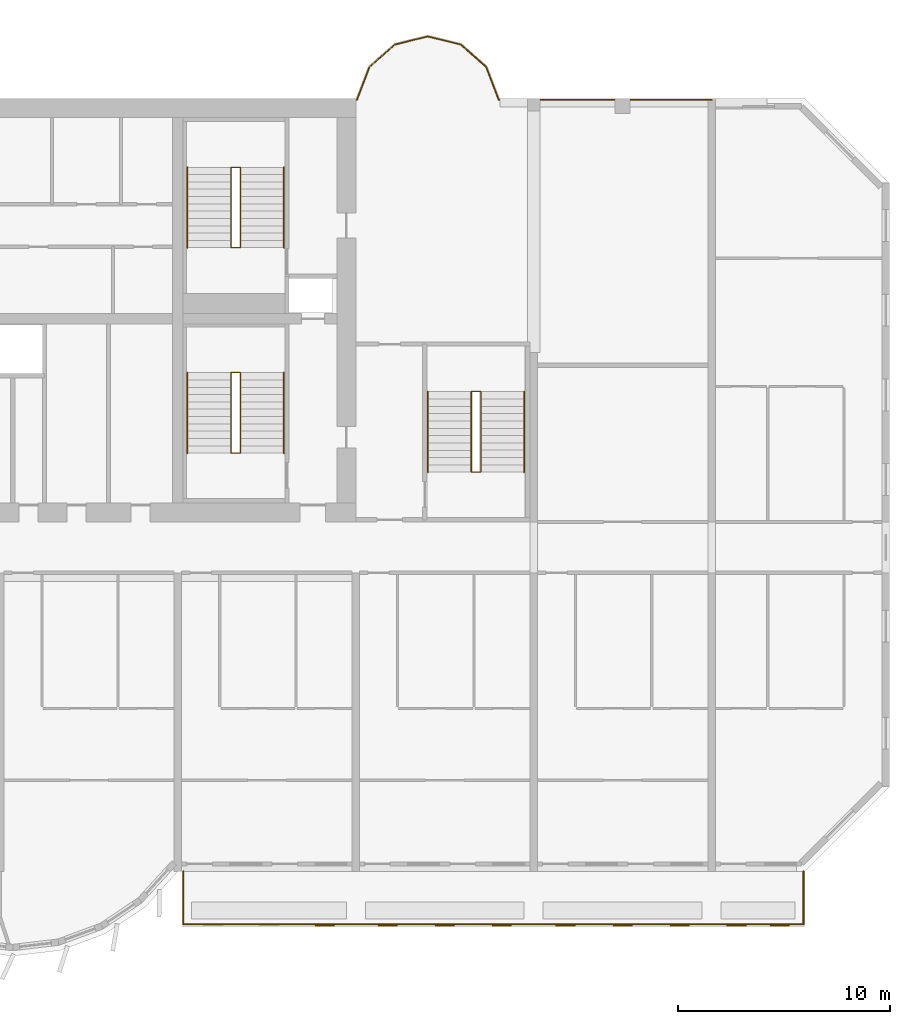
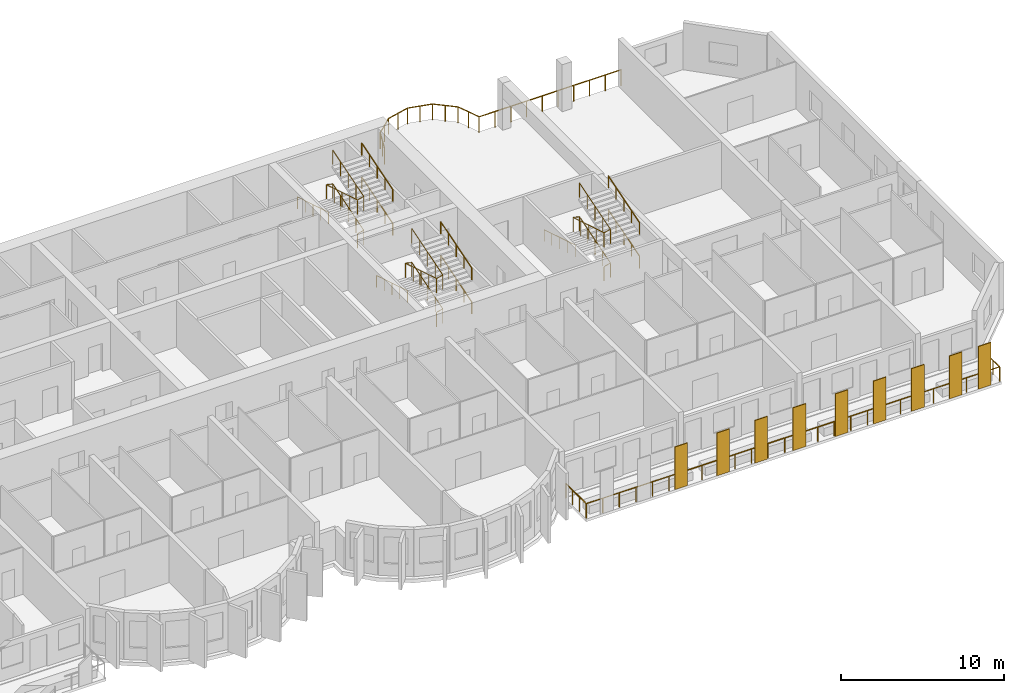
# One storey, part 14 of 15: 14 railings, 9 coverings.
"""IFC4 building model written with IfcOpenShell, lengths in metres."""

import ifcopenshell
import ifcopenshell.guid

model = None  # the IFC model being written
_history = None  # IfcOwnerHistory: only IFC2X3 demands one
_inside = {}  # id of a spatial element -> (the spatial element, [elements in it])
_under = {}  # id of a project, library or spatial element -> (it, [spatial elements below it])
_declared = {}  # id of a project -> (the project, [libraries it declares])
_typed = {}  # id of a type object -> (the type object, [elements of that type])
_made_of = {}  # id of a material, layer set ... -> (it, [elements and type objects made of it])


def new_model(schema):
    """Start an empty IFC model of exactly this schema.

    Asked for "IFC4X3", IfcOpenShell would pick the latest addendum, in which some entities
    have other attributes; the version numbers below select the first issue.
    IFC2X3 requires an IfcOwnerHistory on every rooted entity: one is made here for all.
    """
    global model, _history
    if schema == "IFC4X3":
        model = ifcopenshell.file(schema_version=(4, 3, 0, 0))
    else:
        model = ifcopenshell.file(schema=schema)
    _inside.clear()
    _under.clear()
    _declared.clear()
    _typed.clear()
    _made_of.clear()
    _history = None
    if model.schema == "IFC2X3":
        org = make("IfcOrganization", Name="unknown")
        user = make(
            "IfcPersonAndOrganization",
            ThePerson=make("IfcPerson", FamilyName="unknown"),
            TheOrganization=org,
        )
        app = make(
            "IfcApplication",
            ApplicationDeveloper=org,
            Version="unknown",
            ApplicationFullName="unknown",
            ApplicationIdentifier="unknown",
        )
        _history = make(
            "IfcOwnerHistory",
            OwningUser=user,
            OwningApplication=app,
            ChangeAction="ADDED",
            CreationDate=0,
        )
    return model


def make(cls, **values):
    """One entity of the class cls with the attributes given. An attribute that is None is left unset."""
    return model.create_entity(
        cls, **{name: value for name, value in values.items() if value is not None}
    )


def rooted(cls, **values):
    """An entity with a GlobalId (a new one), such as an element, a storey or a relation."""
    return make(cls, GlobalId=ifcopenshell.guid.new(), OwnerHistory=_history, **values)


def si_unit(unit_type, name, prefix=None):
    """IfcSIUnit, for example si_unit("LENGTHUNIT", "METRE", prefix="MILLI")."""
    return make("IfcSIUnit", UnitType=unit_type, Prefix=prefix, Name=name)


def assignment(units):
    """IfcUnitAssignment: the units of a project."""
    return None if units is None else make("IfcUnitAssignment", Units=units)


def point(xyz):
    """IfcCartesianPoint."""
    return None if xyz is None else make("IfcCartesianPoint", Coordinates=xyz)


def direction(xyz):
    """IfcDirection."""
    return None if xyz is None else make("IfcDirection", DirectionRatios=xyz)


def frame(location, z_axis=None, x_axis=None):
    """IfcAxis2Placement3D, a coordinate frame: its origin and axes. An axis left out is left unset."""
    return make(
        "IfcAxis2Placement3D",
        Location=point(location),
        Axis=direction(z_axis),
        RefDirection=direction(x_axis),
    )


def frame_2d(location, x_axis=None):
    """IfcAxis2Placement2D, a coordinate frame in the plane: its origin and x axis."""
    return make(
        "IfcAxis2Placement2D", Location=point(location), RefDirection=direction(x_axis)
    )


def origin():
    """The frame at (0, 0, 0) with its axes left unset."""
    return frame((0.0, 0.0, 0.0))


def origin_2d():
    """The frame at (0, 0) in the plane with its x axis left unset."""
    return frame_2d((0.0, 0.0))


def place(relative_to, where):
    """IfcLocalPlacement: puts the frame where relative to a parent placement (None: the world)."""
    return make(
        "IfcLocalPlacement", PlacementRelTo=relative_to, RelativePlacement=where
    )


def context(
    kind, dimensions, precision=None, world=None, true_north=None, identifier=None
):
    """IfcGeometricRepresentationContext, for example the 3D "Model" context."""
    return make(
        "IfcGeometricRepresentationContext",
        ContextIdentifier=identifier,
        ContextType=kind,
        CoordinateSpaceDimension=dimensions,
        Precision=precision,
        WorldCoordinateSystem=world,
        TrueNorth=true_north,
    )


def subcontext(parent, identifier, kind, view, scale=None):
    """IfcGeometricRepresentationSubContext, for example "Body" below "Model"."""
    return make(
        "IfcGeometricRepresentationSubContext",
        ContextIdentifier=identifier,
        ContextType=kind,
        ParentContext=parent,
        TargetScale=scale,
        TargetView=view,
    )


def project(units=None, contexts=None):
    """IfcProject with its units and contexts."""
    return rooted(
        "IfcProject",
        Name="project",
        RepresentationContexts=contexts,
        UnitsInContext=assignment(units),
    )


def spatial(cls, under=None, at=None, **own):
    """A site, building, storey or space (cls), placed at a placement, below another one or the project."""
    s = rooted(cls, ObjectPlacement=at, **own)
    if under is not None:
        _under.setdefault(under.id(), (under, []))[1].append(s)
    return s


def profile(cls, at=None, kind="AREA", **sizes):
    """A parametric profile (cls). Its sizes go by their IFC names, for example OverallWidth=200.0."""
    return make(cls, ProfileType=kind, Position=at, **sizes)


def rectangle(**sizes):
    """IfcRectangleProfileDef."""
    return profile("IfcRectangleProfileDef", **sizes)


def circle(**sizes):
    """IfcCircleProfileDef."""
    return profile("IfcCircleProfileDef", **sizes)


def extrude(swept, where, along, depth):
    """IfcExtrudedAreaSolid: the profile swept, set in the frame where, extruded along a direction by depth."""
    return make(
        "IfcExtrudedAreaSolid",
        SweptArea=swept,
        Position=where,
        ExtrudedDirection=direction(along),
        Depth=depth,
    )


def shape(context_of_items, identifier, shape_type, items):
    """IfcShapeRepresentation: the items that make up one representation, for example the "Body"."""
    return make(
        "IfcShapeRepresentation",
        ContextOfItems=context_of_items,
        RepresentationIdentifier=identifier,
        RepresentationType=shape_type,
        Items=items,
    )


def source(mapping_origin, context_of_items, identifier, shape_type, items):
    """IfcRepresentationMap: a shape defined once, which mapped items show again and again."""
    return make(
        "IfcRepresentationMap",
        MappingOrigin=mapping_origin,
        MappedRepresentation=shape(context_of_items, identifier, shape_type, items),
    )


def transform(
    local_origin,
    x_axis=None,
    y_axis=None,
    z_axis=None,
    scale=None,
    scale2=None,
    scale3=None,
    uniform=True,
):
    """IfcCartesianTransformationOperator3D, or its non-uniform kind. x_axis, y_axis, z_axis: its Axis1, 2, 3."""
    if uniform:
        return make(
            "IfcCartesianTransformationOperator3D",
            Axis1=direction(x_axis),
            Axis2=direction(y_axis),
            LocalOrigin=point(local_origin),
            Scale=scale,
            Axis3=direction(z_axis),
        )
    return make(
        "IfcCartesianTransformationOperator3DnonUniform",
        Axis1=direction(x_axis),
        Axis2=direction(y_axis),
        LocalOrigin=point(local_origin),
        Scale=scale,
        Axis3=direction(z_axis),
        Scale2=scale2,
        Scale3=scale3,
    )


def mapped(mapping_source, mapping_target):
    """IfcMappedItem: shows the shape of a source again, moved by a transform."""
    return make(
        "IfcMappedItem", MappingSource=mapping_source, MappingTarget=mapping_target
    )


def material(Name=None, Category=None):
    """IfcMaterial."""
    return make("IfcMaterial", Name=Name, Category=Category)


def layer(
    of_material, thickness, ventilated=None, Name=None, Category=None, Priority=None
):
    """IfcMaterialLayer: one layer of a wall or slab, of a material (None: an air gap)."""
    return make(
        "IfcMaterialLayer",
        Material=of_material,
        LayerThickness=thickness,
        IsVentilated=ventilated,
        Name=Name,
        Category=Category,
        Priority=Priority,
    )


def layer_set(layers, Name=None):
    """IfcMaterialLayerSet."""
    return make("IfcMaterialLayerSet", MaterialLayers=layers, LayerSetName=Name)


def made_of(thing, what):
    """Note that an element or type object is made of a material, layer set ...; save() writes the relation."""
    if what is not None:
        _made_of.setdefault(what.id(), (what, []))[1].append(thing)
    return thing


def type_object(cls, material=None, **own):
    """A type object (cls), such as IfcWallType, which elements share."""
    return made_of(rooted(cls, **own), material)


def element(
    cls,
    number,
    at=None,
    inside=None,
    cuts=None,
    type_object=None,
    material=None,
    context=None,
    identifier="Body",
    shape_type=None,
    held_by="IfcProductDefinitionShape",
    body=None,
    shapes=None,
    **own,
):
    """One element of the class cls, such as IfcWall. Its Tag is "e" and its number.

    at: its placement. inside: the storey or other place that contains it. cuts: it is an
    opening in that element (IfcRelVoidsElement). A single representation is given by context,
    identifier, shape_type and body (its items); several are given by shapes. held_by: the class
    of the entity that holds the representations. save() writes the other relations.
    """
    e = rooted(cls, Tag="e%d" % number, ObjectPlacement=at, **own)
    if body is not None:
        shapes = [shape(context, identifier, shape_type, body)]
    if shapes is not None:
        e.Representation = make(held_by, Representations=shapes)
    if inside is not None:
        _inside.setdefault(inside.id(), (inside, []))[1].append(e)
    if cuts is not None:
        rooted(
            "IfcRelVoidsElement", RelatingBuildingElement=cuts, RelatedOpeningElement=e
        )
    if type_object is not None:
        _typed.setdefault(type_object.id(), (type_object, []))[1].append(e)
    return made_of(e, material)


def aggregate(whole, parts):
    """IfcRelAggregates: a whole, such as a stair, and the parts it consists of."""
    return rooted("IfcRelAggregates", RelatingObject=whole, RelatedObjects=parts)


def save(model, path):
    """Write the relations noted so far, then the file.

    IfcRelAggregates (storeys below a building ...), IfcRelContainedInSpatialStructure (elements
    in a storey), IfcRelDefinesByType, IfcRelAssociatesMaterial and IfcRelDeclares: one each for
    every whole, place, type object, material and project.
    """
    for whole, parts in _under.values():
        aggregate(whole, parts)
    for where, things in _inside.values():
        rooted(
            "IfcRelContainedInSpatialStructure",
            RelatedElements=things,
            RelatingStructure=where,
        )
    for kind, things in _typed.values():
        rooted("IfcRelDefinesByType", RelatedObjects=things, RelatingType=kind)
    for what, things in _made_of.values():
        rooted("IfcRelAssociatesMaterial", RelatedObjects=things, RelatingMaterial=what)
    for by, libraries in _declared.values():
        rooted("IfcRelDeclares", RelatingContext=by, RelatedDefinitions=libraries)
    model.write(path)


model = new_model("IFC4")

# Units and contexts
model_context = context("Model", 3, precision=1e-05, world=origin(), true_north=direction((0.0, 1.0)))
body_context = subcontext(model_context, "Body", "Model", "MODEL_VIEW")
ifc_project = project(units=[si_unit("LENGTHUNIT", "METRE"), si_unit("AREAUNIT", "SQUARE_METRE"), si_unit("VOLUMEUNIT", "CUBIC_METRE"), si_unit("PLANEANGLEUNIT", "RADIAN"), si_unit("MASSUNIT", "GRAM", prefix="KILO")], contexts=[model_context])

# Site, building, storey
site_placement = place(None, origin())
site = spatial("IfcSite", under=ifc_project, at=site_placement, CompositionType="ELEMENT")
building_placement = place(site_placement, origin())
building = spatial("IfcBuilding", under=site, at=building_placement, Name="Vanashikhar Sky Hotel", CompositionType="ELEMENT")
storey_placement = place(building_placement, frame((0.0, 0.0, 137.0)))
storey = spatial("IfcBuildingStorey", under=building, at=storey_placement, Name="L33", CompositionType="ELEMENT", Elevation=137.0)

# Railings
ifc_material_1 = material(Name="Stainless steel 316", Category="steel")
railing_type_1 = type_object("IfcRailingType", Name="Balcony guard 1100", PredefinedType="GUARDRAIL", material=ifc_material_1)
shared_shape_1 = source(origin(), body_context, "Body", "SweptSolid", [
    extrude(circle(Radius=0.02392578125, at=origin_2d()), frame((0.0, 0.0, 1.076171875), z_axis=(0.0, -1.0, 0.0), x_axis=(1.0, 0.0, 0.0)), (0.0, 0.0, 1.0), 2.5),
    extrude(circle(Radius=0.02392578125, at=origin_2d()), frame((0.0, -2.5, 1.076171875), z_axis=(1.0, 0.0, 0.0), x_axis=(0.0, 1.0, 0.0)), (0.0, 0.0, 1.0), 29.280029296875),
    extrude(circle(Radius=0.02392578125, at=origin_2d()), frame((29.280029296875, -2.5, 1.076171875), z_axis=(0.0, 1.0, 0.0), x_axis=(-1.0, 0.0, 0.0)), (0.0, 0.0, 1.0), 2.5),
    extrude(circle(Radius=0.02099609375, at=origin_2d()), origin(), (0.0, 0.0, 1.0), 1.052001953125),
    extrude(circle(Radius=0.02099609375, at=origin_2d()), frame((0.0, -0.833251953125, 0.0)), (0.0, 0.0, 1.0), 1.052001953125),
    extrude(circle(Radius=0.02099609375, at=origin_2d()), frame((0.0, -1.666748046875, 0.0)), (0.0, 0.0, 1.0), 1.052001953125),
    extrude(circle(Radius=0.02099609375, at=origin_2d()), frame((0.0, -2.5, 0.0)), (0.0, 0.0, 1.0), 1.052001953125),
    extrude(circle(Radius=0.02099609375, at=origin_2d()), frame((1.171142578125, -2.5, 0.0)), (0.0, 0.0, 1.0), 1.052001953125),
    extrude(circle(Radius=0.02099609375, at=origin_2d()), frame((2.34228515625, -2.5, 0.0)), (0.0, 0.0, 1.0), 1.052001953125),
    extrude(circle(Radius=0.02099609375, at=origin_2d()), frame((3.513671875, -2.5, 0.0)), (0.0, 0.0, 1.0), 1.052001953125),
    extrude(circle(Radius=0.02099609375, at=origin_2d()), frame((4.684814453125, -2.5, 0.0)), (0.0, 0.0, 1.0), 1.052001953125),
    extrude(circle(Radius=0.02099609375, at=origin_2d()), frame((5.85595703125, -2.5, 0.0)), (0.0, 0.0, 1.0), 1.052001953125),
    extrude(circle(Radius=0.02099609375, at=origin_2d()), frame((7.027099609375, -2.5, 0.0)), (0.0, 0.0, 1.0), 1.052001953125),
    extrude(circle(Radius=0.02099609375, at=origin_2d()), frame((8.198486328125, -2.5, 0.0)), (0.0, 0.0, 1.0), 1.052001953125),
    extrude(circle(Radius=0.02099609375, at=origin_2d()), frame((9.36962890625, -2.5, 0.0)), (0.0, 0.0, 1.0), 1.052001953125),
    extrude(circle(Radius=0.02099609375, at=origin_2d()), frame((10.540771484375, -2.5, 0.0)), (0.0, 0.0, 1.0), 1.052001953125),
    extrude(circle(Radius=0.02099609375, at=origin_2d()), frame((11.7119140625, -2.5, 0.0)), (0.0, 0.0, 1.0), 1.052001953125),
    extrude(circle(Radius=0.02099609375, at=origin_2d()), frame((12.88330078125, -2.5, 0.0)), (0.0, 0.0, 1.0), 1.052001953125),
    extrude(circle(Radius=0.02099609375, at=origin_2d()), frame((14.054443359375, -2.5, 0.0)), (0.0, 0.0, 1.0), 1.052001953125),
    extrude(circle(Radius=0.02099609375, at=origin_2d()), frame((15.2255859375, -2.5, 0.0)), (0.0, 0.0, 1.0), 1.052001953125),
    extrude(circle(Radius=0.02099609375, at=origin_2d()), frame((16.396728515625, -2.5, 0.0)), (0.0, 0.0, 1.0), 1.052001953125),
    extrude(circle(Radius=0.02099609375, at=origin_2d()), frame((17.568115234375, -2.5, 0.0)), (0.0, 0.0, 1.0), 1.052001953125),
    extrude(circle(Radius=0.02099609375, at=origin_2d()), frame((18.7392578125, -2.5, 0.0)), (0.0, 0.0, 1.0), 1.052001953125),
    extrude(circle(Radius=0.02099609375, at=origin_2d()), frame((19.910400390625, -2.5, 0.0)), (0.0, 0.0, 1.0), 1.052001953125),
    extrude(circle(Radius=0.02099609375, at=origin_2d()), frame((21.08154296875, -2.5, 0.0)), (0.0, 0.0, 1.0), 1.052001953125),
    extrude(circle(Radius=0.02099609375, at=origin_2d()), frame((22.2529296875, -2.5, 0.0)), (0.0, 0.0, 1.0), 1.052001953125),
    extrude(circle(Radius=0.02099609375, at=origin_2d()), frame((23.424072265625, -2.5, 0.0)), (0.0, 0.0, 1.0), 1.052001953125),
    extrude(circle(Radius=0.02099609375, at=origin_2d()), frame((24.59521484375, -2.5, 0.0)), (0.0, 0.0, 1.0), 1.052001953125),
    extrude(circle(Radius=0.02099609375, at=origin_2d()), frame((25.766357421875, -2.5, 0.0)), (0.0, 0.0, 1.0), 1.052001953125),
    extrude(circle(Radius=0.02099609375, at=origin_2d()), frame((26.937744140625, -2.5, 0.0)), (0.0, 0.0, 1.0), 1.052001953125),
    extrude(circle(Radius=0.02099609375, at=origin_2d()), frame((28.10888671875, -2.5, 0.0)), (0.0, 0.0, 1.0), 1.052001953125),
    extrude(circle(Radius=0.02099609375, at=origin_2d()), frame((29.280029296875, -2.5, 0.0)), (0.0, 0.0, 1.0), 1.052001953125),
    extrude(circle(Radius=0.02099609375, at=origin_2d()), frame((29.280029296875, -1.666748046875, 0.0)), (0.0, 0.0, 1.0), 1.052001953125),
    extrude(circle(Radius=0.02099609375, at=origin_2d()), frame((29.280029296875, -0.833251953125, 0.0)), (0.0, 0.0, 1.0), 1.052001953125),
    extrude(circle(Radius=0.02099609375, at=origin_2d()), frame((29.280029296875, 0.0, 0.0)), (0.0, 0.0, 1.0), 1.052001953125),
])
railing_1_placement = place(storey_placement, frame((67.4599609375, 5.5, -0.050048828125)))
element("IfcRailing", 1, at=railing_1_placement, inside=storey, type_object=railing_type_1, Name="Balcony guard", PredefinedType="GUARDRAIL", context=body_context, shape_type="MappedRepresentation", body=[
    mapped(shared_shape_1, transform((0.0, 0.0, 0.0), scale=1.0)),
])
railing_type_2 = type_object("IfcRailingType", Name="Refuge terrace guard 1200", PredefinedType="GUARDRAIL", material=ifc_material_1)
shared_shape_2 = source(origin(), body_context, "Body", "SweptSolid", [
    extrude(circle(Radius=0.02392578125, at=origin_2d()), frame((0.0, 0.0, 1.17578125), z_axis=(-1.0, 0.0, 0.0), x_axis=(0.0, -1.0, 0.0)), (0.0, 0.0, 1.0), 10.048095703125),
    extrude(circle(Radius=0.02392578125, at=origin_2d()), frame((-10.048095703125, 0.0, 1.17578125), z_axis=(-0.357682612009, 0.933843214392, 0.0), x_axis=(-0.933843214392, -0.357682612009, 0.0)), (0.0, 0.0, 1.0), 1.666015625),
    extrude(circle(Radius=0.02392578125, at=origin_2d()), frame((-10.64404296875, 1.555908203125, 1.17578125), z_axis=(-0.749699987355, 0.661777854692, 0.0), x_axis=(-0.661777854692, -0.749699987355, 0.0)), (0.0, 0.0, 1.0), 1.602294921875),
    extrude(circle(Radius=0.02392578125, at=origin_2d()), frame((-11.84521484375, 2.6162109375, 1.17578125), z_axis=(-0.971138901218, 0.238514642196, 0.0), x_axis=(-0.238514642196, -0.971138901218, 0.0)), (0.0, 0.0, 1.0), 1.600830078125),
    extrude(circle(Radius=0.02392578125, at=origin_2d()), frame((-13.39990234375, 2.998046875, 1.17578125), z_axis=(-0.971138901218, -0.238514642196, 0.0), x_axis=(0.238514642196, -0.971138901218, 0.0)), (0.0, 0.0, 1.0), 1.600830078125),
    extrude(circle(Radius=0.02392578125, at=origin_2d()), frame((-14.95458984375, 2.6162109375, 1.17578125), z_axis=(-0.749699987355, -0.661777854692, 0.0), x_axis=(0.661777854692, -0.749699987355, 0.0)), (0.0, 0.0, 1.0), 1.602294921875),
    extrude(circle(Radius=0.02392578125, at=origin_2d()), frame((-16.15576171875, 1.555908203125, 1.17578125), z_axis=(-0.357682612009, -0.933843214392, 0.0), x_axis=(0.933843214392, -0.357682612009, 0.0)), (0.0, 0.0, 1.0), 1.666015625),
    extrude(circle(Radius=0.02099609375, at=origin_2d()), origin(), (0.0, 0.0, 1.0), 1.15185546875),
    extrude(circle(Radius=0.02099609375, at=origin_2d()), frame((-1.116455078125, 0.0, 0.0)), (0.0, 0.0, 1.0), 1.15185546875),
    extrude(circle(Radius=0.02099609375, at=origin_2d()), frame((-2.23291015625, 0.0, 0.0)), (0.0, 0.0, 1.0), 1.15185546875),
    extrude(circle(Radius=0.02099609375, at=origin_2d()), frame((-3.349365234375, 0.0, 0.0)), (0.0, 0.0, 1.0), 1.15185546875),
    extrude(circle(Radius=0.02099609375, at=origin_2d()), frame((-4.4658203125, 0.0, 0.0)), (0.0, 0.0, 1.0), 1.15185546875),
    extrude(circle(Radius=0.02099609375, at=origin_2d()), frame((-5.582275390625, 0.0, 0.0)), (0.0, 0.0, 1.0), 1.15185546875),
    extrude(circle(Radius=0.02099609375, at=origin_2d()), frame((-6.69873046875, 0.0, 0.0)), (0.0, 0.0, 1.0), 1.15185546875),
    extrude(circle(Radius=0.02099609375, at=origin_2d()), frame((-7.815185546875, 0.0, 0.0)), (0.0, 0.0, 1.0), 1.15185546875),
    extrude(circle(Radius=0.02099609375, at=origin_2d()), frame((-8.931640625, 0.0, 0.0)), (0.0, 0.0, 1.0), 1.15185546875),
    extrude(circle(Radius=0.02099609375, at=origin_2d()), frame((-10.048095703125, 0.0, 0.0)), (0.0, 0.0, 1.0), 1.15185546875),
    extrude(circle(Radius=0.02099609375, at=origin_2d()), frame((-10.34619140625, 0.77783203125, 0.0)), (0.0, 0.0, 1.0), 1.15185546875),
    extrude(circle(Radius=0.02099609375, at=origin_2d()), frame((-10.64404296875, 1.555908203125, 0.0)), (0.0, 0.0, 1.0), 1.15185546875),
    extrude(circle(Radius=0.02099609375, at=origin_2d()), frame((-11.24462890625, 2.0859375, 0.0)), (0.0, 0.0, 1.0), 1.15185546875),
    extrude(circle(Radius=0.02099609375, at=origin_2d()), frame((-11.84521484375, 2.6162109375, 0.0)), (0.0, 0.0, 1.0), 1.15185546875),
    extrude(circle(Radius=0.02099609375, at=origin_2d()), frame((-12.62255859375, 2.80712890625, 0.0)), (0.0, 0.0, 1.0), 1.15185546875),
    extrude(circle(Radius=0.02099609375, at=origin_2d()), frame((-13.39990234375, 2.998046875, 0.0)), (0.0, 0.0, 1.0), 1.15185546875),
    extrude(circle(Radius=0.02099609375, at=origin_2d()), frame((-14.17724609375, 2.80712890625, 0.0)), (0.0, 0.0, 1.0), 1.15185546875),
    extrude(circle(Radius=0.02099609375, at=origin_2d()), frame((-14.95458984375, 2.6162109375, 0.0)), (0.0, 0.0, 1.0), 1.15185546875),
    extrude(circle(Radius=0.02099609375, at=origin_2d()), frame((-15.55517578125, 2.0859375, 0.0)), (0.0, 0.0, 1.0), 1.15185546875),
    extrude(circle(Radius=0.02099609375, at=origin_2d()), frame((-16.15576171875, 1.555908203125, 0.0)), (0.0, 0.0, 1.0), 1.15185546875),
    extrude(circle(Radius=0.02099609375, at=origin_2d()), frame((-16.45361328125, 0.77783203125, 0.0)), (0.0, 0.0, 1.0), 1.15185546875),
    extrude(circle(Radius=0.02099609375, at=origin_2d()), frame((-16.751708984375, 0.0, 0.0)), (0.0, 0.0, 1.0), 1.15185546875),
])
railing_2_placement = place(storey_placement, frame((92.39990234375, 41.929931640625, 0.0)))
element("IfcRailing", 2, at=railing_2_placement, inside=storey, type_object=railing_type_2, Name="Refuge terrace guard", PredefinedType="GUARDRAIL", context=body_context, shape_type="MappedRepresentation", body=[
    mapped(shared_shape_2, transform((0.0, 0.0, 0.0), scale=1.0)),
])

# Coverings
ifc_material_2 = material(Name="Terracotta", Category="masonry")
ifc_layer = layer(ifc_material_2, 0.06005859375)
ifc_layer_set = layer_set([ifc_layer], Name="Terracotta baguette screen")
covering_type = type_object("IfcCoveringType", Name="Terracotta baguette screen", PredefinedType="CLADDING", material=ifc_layer_set)
shared_shape_3 = source(origin(), body_context, "Body", "SweptSolid", [
    extrude(rectangle(XDim=0.89990234375, YDim=0.06005859375, at=origin_2d()), origin(), (0.0, 0.0, 1.0), 3.199951171875),
])
for number, where, z_axis, x_axis, name in (
    (3, (74.13330078125, 2.929931640625, -0.0498046875), (0.0, 0.0, 1.0), (1.0, 0.0, 0.0), "Terracotta screen"),
    (4, (77.10009765625, 2.929931640625, -0.0498046875), (0.0, 0.0, 1.0), (1.0, 0.0, 0.0), "Terracotta screen"),
    (5, (79.800048828125, 2.929931640625, -0.0498046875), (0.0, 0.0, 1.0), (1.0, 0.0, 0.0), "Terracotta screen"),
    (6, (82.5, 2.929931640625, -0.0498046875), (0.0, 0.0, 1.0), (1.0, 0.0, 0.0), "Terracotta screen"),
    (7, (85.5, 2.929931640625, -0.0498046875), (0.0, 0.0, 1.0), (1.0, 0.0, 0.0), "Terracotta screen"),
    (8, (88.199951171875, 2.929931640625, -0.0498046875), (0.0, 0.0, 1.0), (1.0, 0.0, 0.0), "Terracotta screen"),
    (9, (90.89990234375, 2.929931640625, -0.0498046875), (0.0, 0.0, 1.0), (1.0, 0.0, 0.0), "Terracotta screen"),
    (10, (93.574951171875, 2.929931640625, -0.0498046875), (0.0, 0.0, 1.0), (1.0, 0.0, 0.0), "Terracotta screen"),
    (11, (95.625, 2.929931640625, -0.0498046875), (0.0, 0.0, 1.0), (1.0, 0.0, 0.0), "Terracotta screen"),
):
    element("IfcCovering", number, at=place(storey_placement, frame(where, z_axis=z_axis, x_axis=x_axis)), inside=storey, type_object=covering_type, Name=name, PredefinedType="CLADDING", context=body_context, shape_type="MappedRepresentation", body=[
        mapped(shared_shape_3, transform((0.0, 0.0, 0.0), scale=1.0)),
    ])

# Railings
ifc_material_3 = material(Name="Steel S355", Category="steel")
railing_type_3 = type_object("IfcRailingType", Name="Stair handrail 900", PredefinedType="HANDRAIL", material=ifc_material_3)
shared_shape_4 = source(origin(), body_context, "Body", "SweptSolid", [
    extrude(circle(Radius=0.02392578125, at=origin_2d()), frame((0.0, 0.0, 0.8759765625), z_axis=(0.0, 0.95635109408, 0.292220096591), x_axis=(-1.0, 0.0, 0.0)), (0.0, 0.0, 1.0), 3.973388671875),
    extrude(circle(Radius=0.02099609375, at=origin_2d()), origin(), (0.0, 0.0, 1.0), 0.851806640625),
    extrude(circle(Radius=0.02099609375, at=origin_2d()), frame((0.0, 0.949951171875, 0.290283203125)), (0.0, 0.0, 1.0), 0.851806640625),
    extrude(circle(Radius=0.02099609375, at=origin_2d()), frame((0.0, 1.89990234375, 0.58056640625)), (0.0, 0.0, 1.0), 0.851806640625),
    extrude(circle(Radius=0.02099609375, at=origin_2d()), frame((0.0, 2.85009765625, 0.870849609375)), (0.0, 0.0, 1.0), 0.851806640625),
    extrude(circle(Radius=0.02099609375, at=origin_2d()), frame((0.0, 3.800048828125, 1.1611328125)), (0.0, 0.0, 1.0), 0.851806640625),
])
for number, where, name in (
    (12, (72.199951171875, 25.25, 0.10546875), "Exit stair 2 handrail"),
    (13, (72.199951171875, 25.25, 2.638916015625), "Exit stair 2 handrail"),
    (14, (72.199951171875, 34.949951171875, 0.10546875), "Exit stair 6 handrail"),
    (15, (72.199951171875, 34.949951171875, 2.638916015625), "Exit stair 6 handrail"),
):
    element("IfcRailing", number, at=place(storey_placement, frame(where)), inside=storey, type_object=railing_type_3, Name=name, PredefinedType="HANDRAIL", context=body_context, shape_type="MappedRepresentation", body=[
        mapped(shared_shape_4, transform((0.0, 0.0, 0.0), scale=1.0)),
    ])
shared_shape_5 = source(origin(), body_context, "Body", "SweptSolid", [
    extrude(circle(Radius=0.02392578125, at=origin_2d()), frame((0.0, 0.0, 0.8759765625), z_axis=(0.0, -0.95635109408, 0.292220096591), x_axis=(1.0, 0.0, 0.0)), (0.0, 0.0, 1.0), 3.973388671875),
    extrude(circle(Radius=0.02099609375, at=origin_2d()), origin(), (0.0, 0.0, 1.0), 0.851806640625),
    extrude(circle(Radius=0.02099609375, at=origin_2d()), frame((0.0, -0.949951171875, 0.290283203125)), (0.0, 0.0, 1.0), 0.851806640625),
    extrude(circle(Radius=0.02099609375, at=origin_2d()), frame((0.0, -1.89990234375, 0.58056640625)), (0.0, 0.0, 1.0), 0.851806640625),
    extrude(circle(Radius=0.02099609375, at=origin_2d()), frame((0.0, -2.85009765625, 0.870849609375)), (0.0, 0.0, 1.0), 0.851806640625),
    extrude(circle(Radius=0.02099609375, at=origin_2d()), frame((0.0, -3.800048828125, 1.1611328125)), (0.0, 0.0, 1.0), 0.851806640625),
])
for number, where, name in (
    (16, (67.64990234375, 29.050048828125, 1.372314453125), "Exit stair 2 handrail"),
    (17, (67.64990234375, 38.75, 1.372314453125), "Exit stair 6 handrail"),
):
    element("IfcRailing", number, at=place(storey_placement, frame(where)), inside=storey, type_object=railing_type_3, Name=name, PredefinedType="HANDRAIL", context=body_context, shape_type="MappedRepresentation", body=[
        mapped(shared_shape_5, transform((0.0, 0.0, 0.0), scale=1.0)),
    ])
railing_type_4 = type_object("IfcRailingType", Name="Stair guard 1100", PredefinedType="GUARDRAIL", material=ifc_material_3)
shared_shape_6 = source(origin(), body_context, "Body", "SweptSolid", [
    extrude(circle(Radius=0.02392578125, at=origin_2d()), frame((0.0, 0.0, 1.076171875), z_axis=(0.973610808694, 0.0, 0.228214796178), x_axis=(0.0, 1.0, 0.0)), (0.0, 0.0, 1.0), 0.462158203125),
    extrude(circle(Radius=0.02392578125, at=origin_2d()), frame((0.449951171875, 0.0, 1.181640625), z_axis=(0.0, 0.95635109408, 0.292220096591), x_axis=(-1.0, 0.0, 0.0)), (0.0, 0.0, 1.0), 3.973388671875),
    extrude(circle(Radius=0.02392578125, at=origin_2d()), frame((0.449951171875, 3.800048828125, 2.3427734375), z_axis=(-0.973493315427, 0.0, 0.228715466945), x_axis=(0.0, -1.0, 0.0)), (0.0, 0.0, 1.0), 0.462158203125),
    extrude(circle(Radius=0.02392578125, at=origin_2d()), frame((0.0, 3.800048828125, 2.4482421875), z_axis=(0.0, -0.95635109408, 0.292220096591), x_axis=(1.0, 0.0, 0.0)), (0.0, 0.0, 1.0), 3.973388671875),
    extrude(circle(Radius=0.02392578125, at=origin_2d()), frame((0.0, 0.0, 3.609375), z_axis=(0.973610808694, 0.0, 0.228214796178), x_axis=(0.0, 1.0, 0.0)), (0.0, 0.0, 1.0), 0.462158203125),
    extrude(circle(Radius=0.02392578125, at=origin_2d()), frame((0.449951171875, 0.0, 3.71484375), z_axis=(0.0, 0.95635109408, 0.292220096591), x_axis=(-1.0, 0.0, 0.0)), (0.0, 0.0, 1.0), 3.973388671875),
    extrude(circle(Radius=0.02099609375, at=origin_2d()), origin(), (0.0, 0.0, 1.0), 1.052001953125),
    extrude(circle(Radius=0.02099609375, at=origin_2d()), frame((0.449951171875, 0.0, 0.10546875)), (0.0, 0.0, 1.0), 1.052001953125),
    extrude(circle(Radius=0.02099609375, at=origin_2d()), frame((0.449951171875, 0.949951171875, 0.395751953125)), (0.0, 0.0, 1.0), 1.052001953125),
    extrude(circle(Radius=0.02099609375, at=origin_2d()), frame((0.449951171875, 1.89990234375, 0.68603515625)), (0.0, 0.0, 1.0), 1.052001953125),
    extrude(circle(Radius=0.02099609375, at=origin_2d()), frame((0.449951171875, 2.85009765625, 0.976318359375)), (0.0, 0.0, 1.0), 1.052001953125),
    extrude(circle(Radius=0.02099609375, at=origin_2d()), frame((0.449951171875, 3.800048828125, 1.2666015625)), (0.0, 0.0, 1.0), 1.052001953125),
    extrude(circle(Radius=0.02099609375, at=origin_2d()), frame((0.0, 3.800048828125, 1.372314453125)), (0.0, 0.0, 1.0), 1.052001953125),
    extrude(circle(Radius=0.02099609375, at=origin_2d()), frame((0.0, 2.85009765625, 1.66259765625)), (0.0, 0.0, 1.0), 1.052001953125),
    extrude(circle(Radius=0.02099609375, at=origin_2d()), frame((0.0, 1.89990234375, 1.952880859375)), (0.0, 0.0, 1.0), 1.052001953125),
    extrude(circle(Radius=0.02099609375, at=origin_2d()), frame((0.0, 0.949951171875, 2.2431640625)), (0.0, 0.0, 1.0), 1.052001953125),
    extrude(circle(Radius=0.02099609375, at=origin_2d()), frame((0.0, 0.0, 2.533447265625)), (0.0, 0.0, 1.0), 1.052001953125),
    extrude(circle(Radius=0.02099609375, at=origin_2d()), frame((0.449951171875, 0.0, 2.638916015625)), (0.0, 0.0, 1.0), 1.052001953125),
    extrude(circle(Radius=0.02099609375, at=origin_2d()), frame((0.449951171875, 0.949951171875, 2.92919921875)), (0.0, 0.0, 1.0), 1.052001953125),
    extrude(circle(Radius=0.02099609375, at=origin_2d()), frame((0.449951171875, 1.89990234375, 3.219482421875)), (0.0, 0.0, 1.0), 1.052001953125),
    extrude(circle(Radius=0.02099609375, at=origin_2d()), frame((0.449951171875, 2.85009765625, 3.509765625)), (0.0, 0.0, 1.0), 1.052001953125),
    extrude(circle(Radius=0.02099609375, at=origin_2d()), frame((0.449951171875, 3.800048828125, 3.800048828125)), (0.0, 0.0, 1.0), 1.052001953125),
])
for number, where, name in (
    (18, (69.699951171875, 25.25, 0.0), "Exit stair 2 guard"),
    (19, (69.699951171875, 34.949951171875, 0.0), "Exit stair 6 guard"),
):
    element("IfcRailing", number, at=place(storey_placement, frame(where)), inside=storey, type_object=railing_type_4, Name=name, PredefinedType="GUARDRAIL", context=body_context, shape_type="MappedRepresentation", body=[
        mapped(shared_shape_6, transform((0.0, 0.0, 0.0), scale=1.0)),
    ])
shared_shape_7 = source(origin(), body_context, "Body", "SweptSolid", [
    extrude(circle(Radius=0.02392578125, at=origin_2d()), frame((0.0, 0.0, 0.8759765625), z_axis=(0.0, 0.956345846891, 0.292237268557), x_axis=(-1.0, 0.0, 0.0)), (0.0, 0.0, 1.0), 3.97314453125),
    extrude(circle(Radius=0.02099609375, at=origin_2d()), origin(), (0.0, 0.0, 1.0), 0.851806640625),
    extrude(circle(Radius=0.02099609375, at=origin_2d()), frame((0.0, 0.949951171875, 0.290283203125)), (0.0, 0.0, 1.0), 0.851806640625),
    extrude(circle(Radius=0.02099609375, at=origin_2d()), frame((0.0, 1.89990234375, 0.58056640625)), (0.0, 0.0, 1.0), 0.851806640625),
    extrude(circle(Radius=0.02099609375, at=origin_2d()), frame((0.0, 2.849853515625, 0.870849609375)), (0.0, 0.0, 1.0), 0.851806640625),
    extrude(circle(Radius=0.02099609375, at=origin_2d()), frame((0.0, 3.7998046875, 1.1611328125)), (0.0, 0.0, 1.0), 0.851806640625),
])
for number, where, name in (
    (20, (83.550048828125, 24.35009765625, 0.10546875), "Exit stair 4 handrail"),
    (21, (83.550048828125, 24.35009765625, 2.638916015625), "Exit stair 4 handrail"),
):
    element("IfcRailing", number, at=place(storey_placement, frame(where)), inside=storey, type_object=railing_type_3, Name=name, PredefinedType="HANDRAIL", context=body_context, shape_type="MappedRepresentation", body=[
        mapped(shared_shape_7, transform((0.0, 0.0, 0.0), scale=1.0)),
    ])
shared_shape_8 = source(origin(), body_context, "Body", "SweptSolid", [
    extrude(circle(Radius=0.02392578125, at=origin_2d()), frame((0.0, 0.0, 0.8759765625), z_axis=(0.0, -0.956345846891, 0.292237268557), x_axis=(1.0, 0.0, 0.0)), (0.0, 0.0, 1.0), 3.97314453125),
    extrude(circle(Radius=0.02099609375, at=origin_2d()), origin(), (0.0, 0.0, 1.0), 0.851806640625),
    extrude(circle(Radius=0.02099609375, at=origin_2d()), frame((0.0, -0.949951171875, 0.290283203125)), (0.0, 0.0, 1.0), 0.851806640625),
    extrude(circle(Radius=0.02099609375, at=origin_2d()), frame((0.0, -1.89990234375, 0.58056640625)), (0.0, 0.0, 1.0), 0.851806640625),
    extrude(circle(Radius=0.02099609375, at=origin_2d()), frame((0.0, -2.849853515625, 0.870849609375)), (0.0, 0.0, 1.0), 0.851806640625),
    extrude(circle(Radius=0.02099609375, at=origin_2d()), frame((0.0, -3.7998046875, 1.1611328125)), (0.0, 0.0, 1.0), 0.851806640625),
])
railing_3_placement = place(storey_placement, frame((79.0, 28.14990234375, 1.372314453125)))
element("IfcRailing", 22, at=railing_3_placement, inside=storey, type_object=railing_type_3, Name="Exit stair 4 handrail", PredefinedType="HANDRAIL", context=body_context, shape_type="MappedRepresentation", body=[
    mapped(shared_shape_8, transform((0.0, 0.0, 0.0), scale=1.0)),
])
shared_shape_9 = source(origin(), body_context, "Body", "SweptSolid", [
    extrude(circle(Radius=0.02392578125, at=origin_2d()), frame((0.0, 0.0, 1.076171875), z_axis=(0.973610808694, 0.0, 0.228214796178), x_axis=(0.0, 1.0, 0.0)), (0.0, 0.0, 1.0), 0.462158203125),
    extrude(circle(Radius=0.02392578125, at=origin_2d()), frame((0.449951171875, 0.0, 1.181640625), z_axis=(0.0, 0.956345846891, 0.292237268557), x_axis=(-1.0, 0.0, 0.0)), (0.0, 0.0, 1.0), 3.97314453125),
    extrude(circle(Radius=0.02392578125, at=origin_2d()), frame((0.449951171875, 3.7998046875, 2.3427734375), z_axis=(-0.973493315427, 0.0, 0.228715466945), x_axis=(0.0, -1.0, 0.0)), (0.0, 0.0, 1.0), 0.462158203125),
    extrude(circle(Radius=0.02392578125, at=origin_2d()), frame((0.0, 3.7998046875, 2.4482421875), z_axis=(0.0, -0.956345846891, 0.292237268557), x_axis=(1.0, 0.0, 0.0)), (0.0, 0.0, 1.0), 3.97314453125),
    extrude(circle(Radius=0.02392578125, at=origin_2d()), frame((0.0, 0.0, 3.609375), z_axis=(0.973610808694, 0.0, 0.228214796178), x_axis=(0.0, 1.0, 0.0)), (0.0, 0.0, 1.0), 0.462158203125),
    extrude(circle(Radius=0.02392578125, at=origin_2d()), frame((0.449951171875, 0.0, 3.71484375), z_axis=(0.0, 0.956345846891, 0.292237268557), x_axis=(-1.0, 0.0, 0.0)), (0.0, 0.0, 1.0), 3.97314453125),
    extrude(circle(Radius=0.02099609375, at=origin_2d()), origin(), (0.0, 0.0, 1.0), 1.052001953125),
    extrude(circle(Radius=0.02099609375, at=origin_2d()), frame((0.449951171875, 0.0, 0.10546875)), (0.0, 0.0, 1.0), 1.052001953125),
    extrude(circle(Radius=0.02099609375, at=origin_2d()), frame((0.449951171875, 0.949951171875, 0.395751953125)), (0.0, 0.0, 1.0), 1.052001953125),
    extrude(circle(Radius=0.02099609375, at=origin_2d()), frame((0.449951171875, 1.89990234375, 0.68603515625)), (0.0, 0.0, 1.0), 1.052001953125),
    extrude(circle(Radius=0.02099609375, at=origin_2d()), frame((0.449951171875, 2.849853515625, 0.976318359375)), (0.0, 0.0, 1.0), 1.052001953125),
    extrude(circle(Radius=0.02099609375, at=origin_2d()), frame((0.449951171875, 3.7998046875, 1.2666015625)), (0.0, 0.0, 1.0), 1.052001953125),
    extrude(circle(Radius=0.02099609375, at=origin_2d()), frame((0.0, 3.7998046875, 1.372314453125)), (0.0, 0.0, 1.0), 1.052001953125),
    extrude(circle(Radius=0.02099609375, at=origin_2d()), frame((0.0, 2.849853515625, 1.66259765625)), (0.0, 0.0, 1.0), 1.052001953125),
    extrude(circle(Radius=0.02099609375, at=origin_2d()), frame((0.0, 1.89990234375, 1.952880859375)), (0.0, 0.0, 1.0), 1.052001953125),
    extrude(circle(Radius=0.02099609375, at=origin_2d()), frame((0.0, 0.949951171875, 2.2431640625)), (0.0, 0.0, 1.0), 1.052001953125),
    extrude(circle(Radius=0.02099609375, at=origin_2d()), frame((0.0, 0.0, 2.533447265625)), (0.0, 0.0, 1.0), 1.052001953125),
    extrude(circle(Radius=0.02099609375, at=origin_2d()), frame((0.449951171875, 0.0, 2.638916015625)), (0.0, 0.0, 1.0), 1.052001953125),
    extrude(circle(Radius=0.02099609375, at=origin_2d()), frame((0.449951171875, 0.949951171875, 2.92919921875)), (0.0, 0.0, 1.0), 1.052001953125),
    extrude(circle(Radius=0.02099609375, at=origin_2d()), frame((0.449951171875, 1.89990234375, 3.219482421875)), (0.0, 0.0, 1.0), 1.052001953125),
    extrude(circle(Radius=0.02099609375, at=origin_2d()), frame((0.449951171875, 2.849853515625, 3.509765625)), (0.0, 0.0, 1.0), 1.052001953125),
    extrude(circle(Radius=0.02099609375, at=origin_2d()), frame((0.449951171875, 3.7998046875, 3.800048828125)), (0.0, 0.0, 1.0), 1.052001953125),
])
railing_4_placement = place(storey_placement, frame((81.050048828125, 24.35009765625, 0.0)))
element("IfcRailing", 23, at=railing_4_placement, inside=storey, type_object=railing_type_4, Name="Exit stair 4 guard", PredefinedType="GUARDRAIL", context=body_context, shape_type="MappedRepresentation", body=[
    mapped(shared_shape_9, transform((0.0, 0.0, 0.0), scale=1.0)),
])

save(model, "model.ifc")
